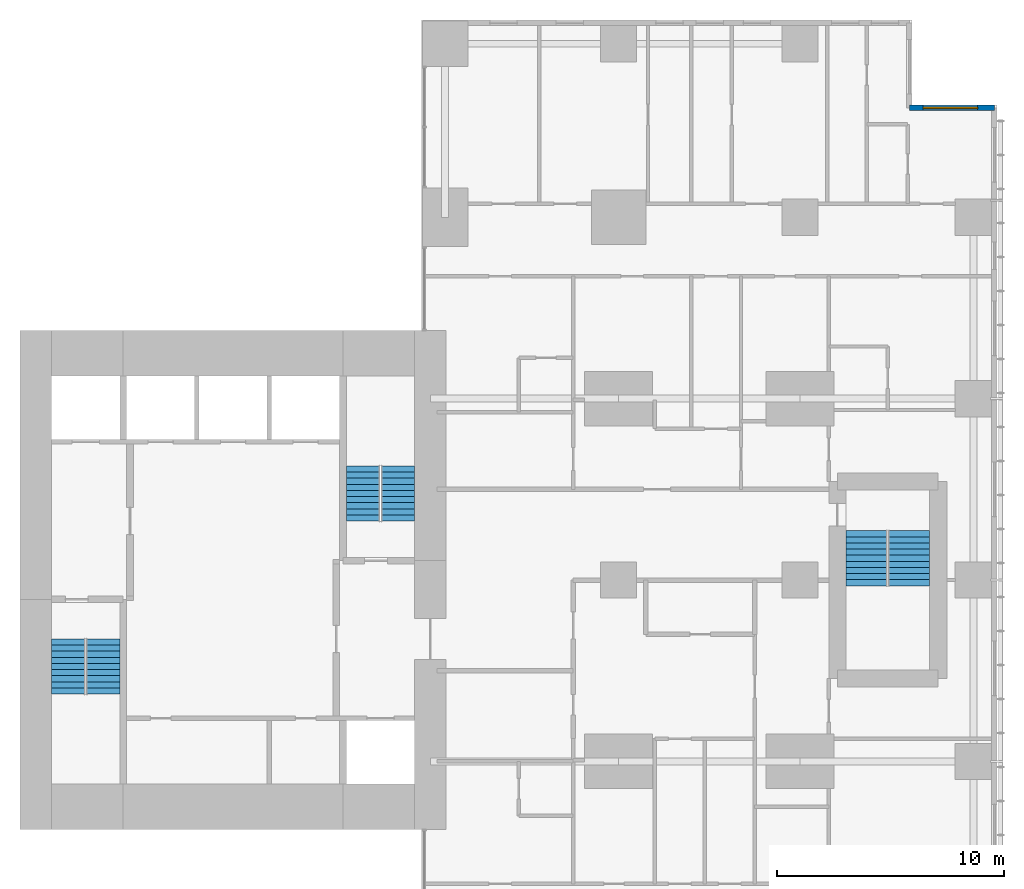
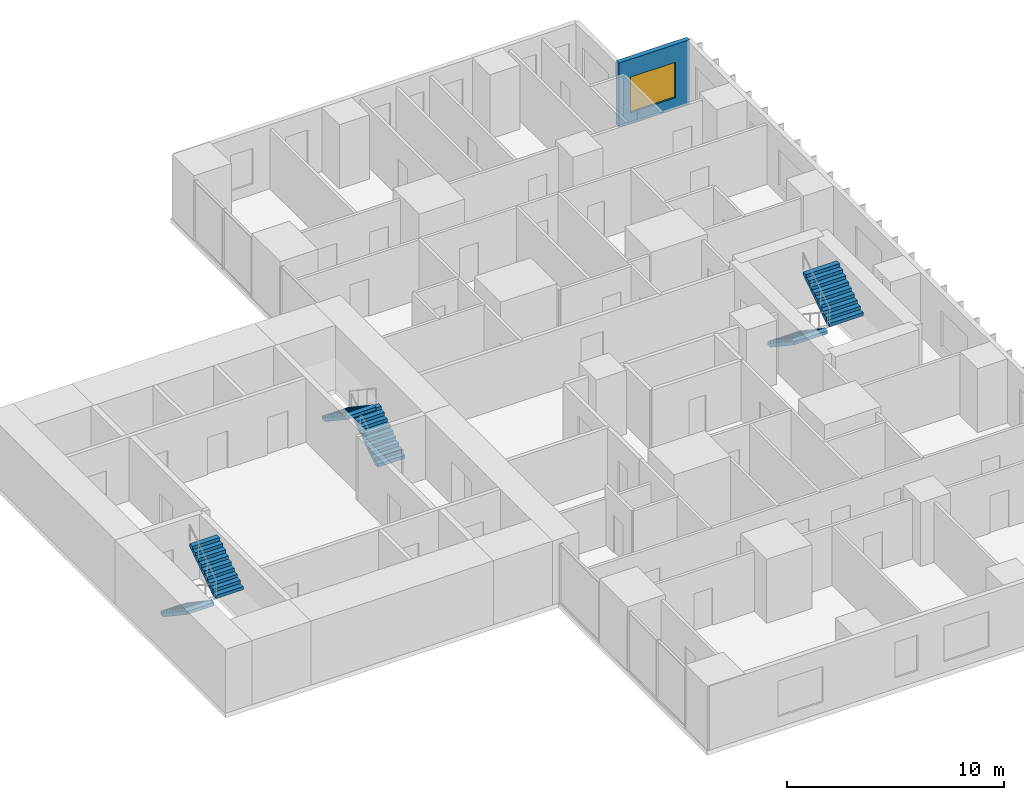
# One storey, part 11 of 12: 6 stair flights, 1 wall, 1 window, 1 opening, 3 elements without a shape of their own.
"""IFC4 building model written with IfcOpenShell, lengths in metres."""

from ifc_helpers import new_model, si_unit, direction, frame, frame_2d, origin, place, context, subcontext, project, spatial, polyline, rectangle, outline, extrude, material, layer, layer_set, type_object, element, fill, aggregate, save


model = new_model("IFC4")

# Units and contexts
model_context = context("Model", 3, precision=1e-05, world=origin(), true_north=direction((0.0, 1.0)))
body_context = subcontext(model_context, "Body", "Model", "MODEL_VIEW")
ifc_project = project(units=[si_unit("LENGTHUNIT", "METRE"), si_unit("AREAUNIT", "SQUARE_METRE"), si_unit("VOLUMEUNIT", "CUBIC_METRE"), si_unit("PLANEANGLEUNIT", "RADIAN"), si_unit("MASSUNIT", "GRAM", prefix="KILO")], contexts=[model_context])

# Site, building, storey
site_placement = place(None, origin())
site = spatial("IfcSite", under=ifc_project, at=site_placement, CompositionType="ELEMENT")
building_placement = place(site_placement, origin())
building = spatial("IfcBuilding", under=site, at=building_placement, Name="Cleftline Residences", CompositionType="ELEMENT")
storey_placement = place(building_placement, frame((0.0, 0.0, 270.0)))
storey = spatial("IfcBuildingStorey", under=building, at=storey_placement, Name="L71", CompositionType="ELEMENT", Elevation=270.0)

# Wall, opening, window
ifc_material_1 = material(Name="Rendered reinforced concrete blockwork", Category="masonry")
ifc_layer = layer(ifc_material_1, 0.25)
ifc_layer_set = layer_set([ifc_layer], Name="EXTERNAL WALL 250")
wall_type = type_object("IfcWallType", Name="EXTERNAL WALL 250", PredefinedType="SOLIDWALL", material=ifc_layer_set)
wall_placement = place(storey_placement, frame((66.574951171875, 44.824951171875, 0.0), z_axis=(0.0, 0.0, 1.0), x_axis=(-1.0, 0.0, 0.0)))
wall = element("IfcWall", 1, at=wall_placement, inside=storey, type_object=wall_type, Name="External wall", PredefinedType="SOLIDWALL", context=body_context, shape_type="SweptSolid", body=[
    extrude(rectangle(XDim=3.75, YDim=0.25, at=frame_2d((1.875, 0.0))), origin(), (0.0, 0.0, 1.0), 3.60009765625),
])
opening_placement = place(wall_placement, frame((0.737548828125, 0.0, 0.60009765625)))
opening = element("IfcOpeningElement", 2, at=opening_placement, cuts=wall, Name="Opening W6", PredefinedType="OPENING", context=body_context, shape_type="SweptSolid", body=[
    extrude(rectangle(XDim=2.39990234375, YDim=2.0, at=frame_2d((1.199951171875, 1.0))), frame((0.0, 0.135009765625, 0.0), z_axis=(0.0, -1.0, 0.0), x_axis=(1.0, 0.0, 0.0)), (0.0, 0.0, 1.0), 0.27001953125),
])
ifc_material_2 = material(Name="Aluminium frame, clear double glazing", Category="aluminium")
window_type = type_object("IfcWindowType", Name="WINDOW 2400X2000", PartitioningType="DOUBLE_PANEL_VERTICAL", PredefinedType="WINDOW", material=ifc_material_2)
window_placement = place(opening_placement, origin())
window = element("IfcWindow", 3, at=window_placement, inside=storey, type_object=window_type, Name="Window", OverallHeight=2.0, OverallWidth=2.39990234375, PartitioningType="SINGLE_PANEL", PredefinedType="WINDOW", context=body_context, shape_type="SweptSolid", body=[
    extrude(rectangle(XDim=2.39990234375, YDim=2.0, at=frame_2d((1.199951171875, 1.0))), frame((0.0, 0.030029296875, 0.0), z_axis=(0.0, -1.0, 0.0), x_axis=(1.0, 0.0, 0.0)), (0.0, 0.0, 1.0), 0.06005859375),
])
fill(opening, window)

# Stair, stair flights
ifc_material_3 = material(Name="Concrete B45, stone treads", Category="masonry")
stair_type_1 = type_object("IfcStairType", Name="STAIR A 1450 WIDE 180 RISER", PredefinedType="HALF_TURN_STAIR", material=ifc_material_3)
stair_1_placement = place(storey_placement, origin())
stair_1 = element("IfcStair", 4, at=stair_1_placement, inside=storey, type_object=stair_type_1, Name="Stair A L71", PredefinedType="HALF_TURN_STAIR")
ifc_material_4 = material(Name="Concrete B45", Category="concrete")
stair_flight_type_1 = type_object("IfcStairFlightType", Name="STAIR A FLIGHT 1450X180", PredefinedType="STRAIGHT", material=ifc_material_4)
stair_flight_1_placement = place(storey_placement, frame((25.72509765625, 21.39990234375, 0.0), z_axis=(0.0, 0.0, 1.0), x_axis=(0.0, -1.0, 0.0)))
stair_flight_1 = element("IfcStairFlight", 5, at=stair_flight_1_placement, type_object=stair_flight_type_1, Name="ST-A flight 1", NumberOfRisers=10, NumberOfTreads=9, PredefinedType="STRAIGHT", RiserHeight=0.18, TreadLength=0.27, context=body_context, shape_type="SweptSolid", body=[
    extrude(outline(polyline([(0.0, 0.0), (0.0, 0.013916015625), (0.0, 0.027587890625), (0.0, 0.04150390625), (0.0, 0.055419921875), (0.0, 0.0693359375), (0.0, 0.0830078125), (0.0, 0.096923828125), (0.0, 0.11083984375), (0.0, 0.12451171875), (0.0, 0.138427734375), (0.0, 0.15234375), (0.0, 0.166259765625), (0.0, 0.179931640625), (0.27001953125, 0.179931640625), (0.27001953125, 0.360107421875), (0.5400390625, 0.360107421875), (0.5400390625, 0.5400390625), (0.81005859375, 0.5400390625), (0.81005859375, 0.719970703125), (1.080078125, 0.719970703125), (1.080078125, 0.89990234375), (1.35009765625, 0.89990234375), (1.35009765625, 1.080078125), (1.6201171875, 1.080078125), (1.6201171875, 1.260009765625), (1.889892578125, 1.260009765625), (1.889892578125, 1.43994140625), (2.159912109375, 1.43994140625), (2.159912109375, 1.6201171875), (2.429931640625, 1.6201171875), (2.429931640625, 1.800048828125), (2.429931640625, 1.772216796875), (2.429931640625, 1.74462890625), (2.429931640625, 1.716796875), (2.429931640625, 1.689208984375), (2.429931640625, 1.661376953125), (2.429931640625, 1.6337890625), (2.429931640625, 1.60595703125), (2.429931640625, 1.578369140625), (2.429931640625, 1.550537109375), (2.429931640625, 1.52294921875), (2.429931640625, 1.495361328125), (2.429931640625, 1.467529296875), (2.429931640625, 1.43994140625), (0.270263671875, 0.0), (0.0, 0.0)])), frame((0.0, 0.72509765625, 0.0), z_axis=(0.0, -1.0, 0.0), x_axis=(1.0, 0.0, 0.0)), (0.0, 0.0, 1.0), 1.449951171875),
])
stair_flight_2_placement = place(storey_placement, frame((27.27490234375, 18.969970703125, 1.800048828125), z_axis=(0.0, 0.0, 1.0), x_axis=(0.0, 1.0, 0.0)))
stair_flight_2 = element("IfcStairFlight", 6, at=stair_flight_2_placement, type_object=stair_flight_type_1, Name="ST-A flight 2", NumberOfRisers=10, NumberOfTreads=9, PredefinedType="STRAIGHT", RiserHeight=0.18, TreadLength=0.27, context=body_context, shape_type="SweptSolid", body=[
    extrude(outline(polyline([(0.0, 0.0), (0.0, 0.013916015625), (0.0, 0.027587890625), (0.0, 0.04150390625), (0.0, 0.055419921875), (0.0, 0.0693359375), (0.0, 0.0830078125), (0.0, 0.096923828125), (0.0, 0.11083984375), (0.0, 0.12451171875), (0.0, 0.138427734375), (0.0, 0.15234375), (0.0, 0.166259765625), (0.0, 0.179931640625), (0.27001953125, 0.179931640625), (0.27001953125, 0.360107421875), (0.5400390625, 0.360107421875), (0.5400390625, 0.5400390625), (0.81005859375, 0.5400390625), (0.81005859375, 0.719970703125), (1.080078125, 0.719970703125), (1.080078125, 0.89990234375), (1.35009765625, 0.89990234375), (1.35009765625, 1.080078125), (1.6201171875, 1.080078125), (1.6201171875, 1.260009765625), (1.889892578125, 1.260009765625), (1.889892578125, 1.43994140625), (2.159912109375, 1.43994140625), (2.159912109375, 1.6201171875), (2.429931640625, 1.6201171875), (2.429931640625, 1.800048828125), (2.429931640625, 1.772216796875), (2.429931640625, 1.74462890625), (2.429931640625, 1.716796875), (2.429931640625, 1.689208984375), (2.429931640625, 1.661376953125), (2.429931640625, 1.6337890625), (2.429931640625, 1.60595703125), (2.429931640625, 1.578369140625), (2.429931640625, 1.550537109375), (2.429931640625, 1.52294921875), (2.429931640625, 1.495361328125), (2.429931640625, 1.467529296875), (2.429931640625, 1.43994140625), (0.270263671875, 0.0), (0.0, 0.0)])), frame((0.0, 0.72509765625, 0.0), z_axis=(0.0, -1.0, 0.0), x_axis=(1.0, 0.0, 0.0)), (0.0, 0.0, 1.0), 1.449951171875),
])
aggregate(stair_1, [stair_flight_1, stair_flight_2])

ifc_material_5 = material(Name="Concrete B45, stone treads", Category="masonry")
stair_type_2 = type_object("IfcStairType", Name="STAIR B 1450 WIDE 180 RISER", PredefinedType="HALF_TURN_STAIR", material=ifc_material_5)
stair_2_placement = place(storey_placement, origin())
stair_2 = element("IfcStair", 7, at=stair_2_placement, inside=storey, type_object=stair_type_2, Name="Stair B L71", PredefinedType="HALF_TURN_STAIR")
ifc_material_6 = material(Name="Concrete B45", Category="concrete")
stair_flight_type_2 = type_object("IfcStairFlightType", Name="STAIR B FLIGHT 1450X180", PredefinedType="STRAIGHT", material=ifc_material_6)
stair_flight_3_placement = place(storey_placement, frame((40.27490234375, 26.60009765625, 0.0), z_axis=(0.0, 0.0, 1.0), x_axis=(0.0, 1.0, 0.0)))
stair_flight_3 = element("IfcStairFlight", 8, at=stair_flight_3_placement, type_object=stair_flight_type_2, Name="ST-B flight 1", NumberOfRisers=10, NumberOfTreads=9, PredefinedType="STRAIGHT", RiserHeight=0.18, TreadLength=0.27, context=body_context, shape_type="SweptSolid", body=[
    extrude(outline(polyline([(0.0, 0.0), (0.0, 0.013916015625), (0.0, 0.027587890625), (0.0, 0.04150390625), (0.0, 0.055419921875), (0.0, 0.0693359375), (0.0, 0.0830078125), (0.0, 0.096923828125), (0.0, 0.11083984375), (0.0, 0.12451171875), (0.0, 0.138427734375), (0.0, 0.15234375), (0.0, 0.166259765625), (0.0, 0.179931640625), (0.27001953125, 0.179931640625), (0.27001953125, 0.360107421875), (0.5400390625, 0.360107421875), (0.5400390625, 0.5400390625), (0.81005859375, 0.5400390625), (0.81005859375, 0.719970703125), (1.080078125, 0.719970703125), (1.080078125, 0.89990234375), (1.35009765625, 0.89990234375), (1.35009765625, 1.080078125), (1.6201171875, 1.080078125), (1.6201171875, 1.260009765625), (1.889892578125, 1.260009765625), (1.889892578125, 1.43994140625), (2.159912109375, 1.43994140625), (2.159912109375, 1.6201171875), (2.429931640625, 1.6201171875), (2.429931640625, 1.800048828125), (2.429931640625, 1.772216796875), (2.429931640625, 1.74462890625), (2.429931640625, 1.716796875), (2.429931640625, 1.689208984375), (2.429931640625, 1.661376953125), (2.429931640625, 1.6337890625), (2.429931640625, 1.60595703125), (2.429931640625, 1.578369140625), (2.429931640625, 1.550537109375), (2.429931640625, 1.52294921875), (2.429931640625, 1.495361328125), (2.429931640625, 1.467529296875), (2.429931640625, 1.43994140625), (0.270263671875, 0.0), (0.0, 0.0)])), frame((0.0, 0.72509765625, 0.0), z_axis=(0.0, -1.0, 0.0), x_axis=(1.0, 0.0, 0.0)), (0.0, 0.0, 1.0), 1.449951171875),
])
stair_flight_4_placement = place(storey_placement, frame((38.72509765625, 29.030029296875, 1.800048828125), z_axis=(0.0, 0.0, 1.0), x_axis=(0.0, -1.0, 0.0)))
stair_flight_4 = element("IfcStairFlight", 9, at=stair_flight_4_placement, type_object=stair_flight_type_2, Name="ST-B flight 2", NumberOfRisers=10, NumberOfTreads=9, PredefinedType="STRAIGHT", RiserHeight=0.18, TreadLength=0.27, context=body_context, shape_type="SweptSolid", body=[
    extrude(outline(polyline([(0.0, 0.0), (0.0, 0.013916015625), (0.0, 0.027587890625), (0.0, 0.04150390625), (0.0, 0.055419921875), (0.0, 0.0693359375), (0.0, 0.0830078125), (0.0, 0.096923828125), (0.0, 0.11083984375), (0.0, 0.12451171875), (0.0, 0.138427734375), (0.0, 0.15234375), (0.0, 0.166259765625), (0.0, 0.179931640625), (0.27001953125, 0.179931640625), (0.27001953125, 0.360107421875), (0.5400390625, 0.360107421875), (0.5400390625, 0.5400390625), (0.81005859375, 0.5400390625), (0.81005859375, 0.719970703125), (1.080078125, 0.719970703125), (1.080078125, 0.89990234375), (1.35009765625, 0.89990234375), (1.35009765625, 1.080078125), (1.6201171875, 1.080078125), (1.6201171875, 1.260009765625), (1.889892578125, 1.260009765625), (1.889892578125, 1.43994140625), (2.159912109375, 1.43994140625), (2.159912109375, 1.6201171875), (2.429931640625, 1.6201171875), (2.429931640625, 1.800048828125), (2.429931640625, 1.772216796875), (2.429931640625, 1.74462890625), (2.429931640625, 1.716796875), (2.429931640625, 1.689208984375), (2.429931640625, 1.661376953125), (2.429931640625, 1.6337890625), (2.429931640625, 1.60595703125), (2.429931640625, 1.578369140625), (2.429931640625, 1.550537109375), (2.429931640625, 1.52294921875), (2.429931640625, 1.495361328125), (2.429931640625, 1.467529296875), (2.429931640625, 1.43994140625), (0.270263671875, 0.0), (0.0, 0.0)])), frame((0.0, 0.72509765625, 0.0), z_axis=(0.0, -1.0, 0.0), x_axis=(1.0, 0.0, 0.0)), (0.0, 0.0, 1.0), 1.449951171875),
])
aggregate(stair_2, [stair_flight_3, stair_flight_4])

ifc_material_7 = material(Name="Concrete B45, stone treads", Category="masonry")
stair_type_3 = type_object("IfcStairType", Name="STAIR E 1800 WIDE 180 RISER", PredefinedType="HALF_TURN_STAIR", material=ifc_material_7)
stair_3_placement = place(storey_placement, origin())
stair_3 = element("IfcStair", 10, at=stair_3_placement, inside=storey, type_object=stair_type_3, Name="Stair E L71", PredefinedType="HALF_TURN_STAIR")
ifc_material_8 = material(Name="Concrete B45", Category="concrete")
stair_flight_type_3 = type_object("IfcStairFlightType", Name="STAIR E FLIGHT 1800X180", PredefinedType="STRAIGHT", material=ifc_material_8)
stair_flight_5_placement = place(storey_placement, frame((60.925048828125, 26.175048828125, 0.0), z_axis=(0.0, 0.0, 1.0), x_axis=(0.0, -1.0, 0.0)))
stair_flight_5 = element("IfcStairFlight", 11, at=stair_flight_5_placement, type_object=stair_flight_type_3, Name="ST-E flight 1", NumberOfRisers=10, NumberOfTreads=9, PredefinedType="STRAIGHT", RiserHeight=0.18, TreadLength=0.27, context=body_context, shape_type="SweptSolid", body=[
    extrude(outline(polyline([(0.0, 0.0), (0.0, 0.013916015625), (0.0, 0.027587890625), (0.0, 0.04150390625), (0.0, 0.055419921875), (0.0, 0.0693359375), (0.0, 0.0830078125), (0.0, 0.096923828125), (0.0, 0.11083984375), (0.0, 0.12451171875), (0.0, 0.138427734375), (0.0, 0.15234375), (0.0, 0.166259765625), (0.0, 0.179931640625), (0.27001953125, 0.179931640625), (0.27001953125, 0.360107421875), (0.5400390625, 0.360107421875), (0.5400390625, 0.5400390625), (0.81005859375, 0.5400390625), (0.81005859375, 0.719970703125), (1.080078125, 0.719970703125), (1.080078125, 0.89990234375), (1.35009765625, 0.89990234375), (1.35009765625, 1.080078125), (1.6201171875, 1.080078125), (1.6201171875, 1.260009765625), (1.889892578125, 1.260009765625), (1.889892578125, 1.43994140625), (2.159912109375, 1.43994140625), (2.159912109375, 1.6201171875), (2.429931640625, 1.6201171875), (2.429931640625, 1.800048828125), (2.429931640625, 1.772216796875), (2.429931640625, 1.74462890625), (2.429931640625, 1.716796875), (2.429931640625, 1.689208984375), (2.429931640625, 1.661376953125), (2.429931640625, 1.6337890625), (2.429931640625, 1.60595703125), (2.429931640625, 1.578369140625), (2.429931640625, 1.550537109375), (2.429931640625, 1.52294921875), (2.429931640625, 1.495361328125), (2.429931640625, 1.467529296875), (2.429931640625, 1.43994140625), (0.270263671875, 0.0), (0.0, 0.0)])), frame((0.0, 0.89990234375, 0.0), z_axis=(0.0, -1.0, 0.0), x_axis=(1.0, 0.0, 0.0)), (0.0, 0.0, 1.0), 1.800048828125),
])
stair_flight_6_placement = place(storey_placement, frame((62.824951171875, 23.7451171875, 1.800048828125), z_axis=(0.0, 0.0, 1.0), x_axis=(0.0, 1.0, 0.0)))
stair_flight_6 = element("IfcStairFlight", 12, at=stair_flight_6_placement, type_object=stair_flight_type_3, Name="ST-E flight 2", NumberOfRisers=10, NumberOfTreads=9, PredefinedType="STRAIGHT", RiserHeight=0.18, TreadLength=0.27, context=body_context, shape_type="SweptSolid", body=[
    extrude(outline(polyline([(0.0, 0.0), (0.0, 0.013916015625), (0.0, 0.027587890625), (0.0, 0.04150390625), (0.0, 0.055419921875), (0.0, 0.0693359375), (0.0, 0.0830078125), (0.0, 0.096923828125), (0.0, 0.11083984375), (0.0, 0.12451171875), (0.0, 0.138427734375), (0.0, 0.15234375), (0.0, 0.166259765625), (0.0, 0.179931640625), (0.27001953125, 0.179931640625), (0.27001953125, 0.360107421875), (0.5400390625, 0.360107421875), (0.5400390625, 0.5400390625), (0.81005859375, 0.5400390625), (0.81005859375, 0.719970703125), (1.080078125, 0.719970703125), (1.080078125, 0.89990234375), (1.35009765625, 0.89990234375), (1.35009765625, 1.080078125), (1.6201171875, 1.080078125), (1.6201171875, 1.260009765625), (1.889892578125, 1.260009765625), (1.889892578125, 1.43994140625), (2.159912109375, 1.43994140625), (2.159912109375, 1.6201171875), (2.429931640625, 1.6201171875), (2.429931640625, 1.800048828125), (2.429931640625, 1.772216796875), (2.429931640625, 1.74462890625), (2.429931640625, 1.716796875), (2.429931640625, 1.689208984375), (2.429931640625, 1.661376953125), (2.429931640625, 1.6337890625), (2.429931640625, 1.60595703125), (2.429931640625, 1.578369140625), (2.429931640625, 1.550537109375), (2.429931640625, 1.52294921875), (2.429931640625, 1.495361328125), (2.429931640625, 1.467529296875), (2.429931640625, 1.43994140625), (0.270263671875, 0.0), (0.0, 0.0)])), frame((0.0, 0.89990234375, 0.0), z_axis=(0.0, -1.0, 0.0), x_axis=(1.0, 0.0, 0.0)), (0.0, 0.0, 1.0), 1.800048828125),
])
aggregate(stair_3, [stair_flight_5, stair_flight_6])

save(model, "model.ifc")
